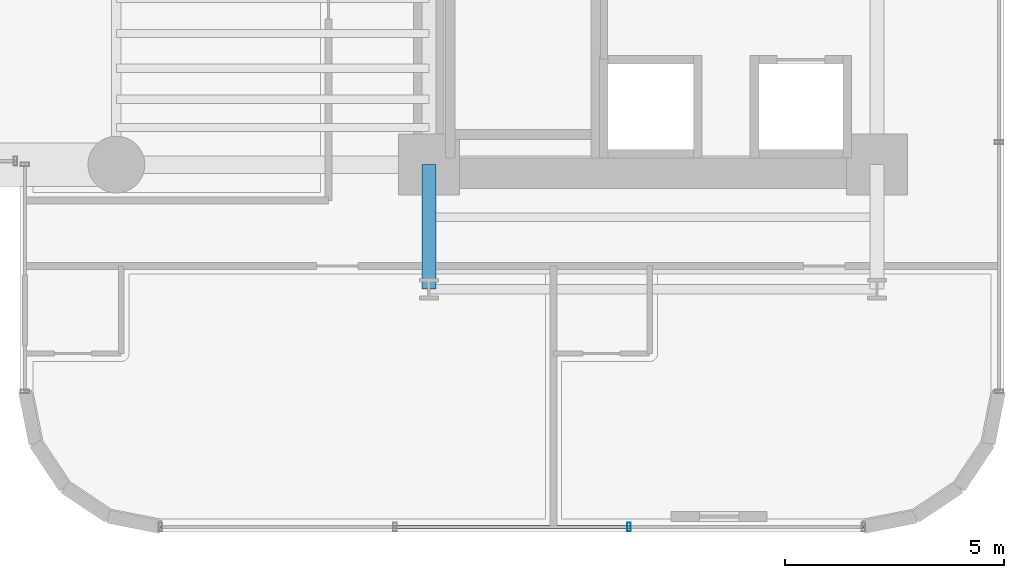
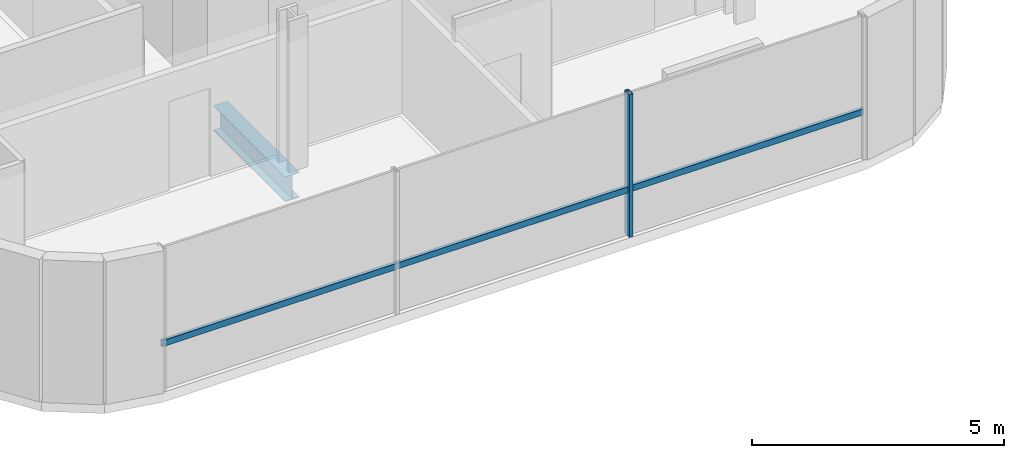
# One storey, part 3 of 41: 2 members, 1 beam, 1 element without a shape of its own.
"""IFC4 building model written with IfcOpenShell, lengths in metres."""

from ifc_helpers import new_model, si_unit, direction, frame, origin, origin_2d, place, context, subcontext, project, spatial, hollow_rectangle, i_section, extrude, source, transform, mapped, material, material_profile, profile_set, type_object, element, aggregate, save


model = new_model("IFC4")

# Units and contexts
model_context = context("Model", 3, precision=1e-05, world=origin(), true_north=direction((0.0, 1.0)))
body_context = subcontext(model_context, "Body", "Model", "MODEL_VIEW")
ifc_project = project(units=[si_unit("LENGTHUNIT", "METRE"), si_unit("AREAUNIT", "SQUARE_METRE"), si_unit("VOLUMEUNIT", "CUBIC_METRE"), si_unit("PLANEANGLEUNIT", "RADIAN"), si_unit("MASSUNIT", "GRAM", prefix="KILO")], contexts=[model_context])

# Site, building, storey
site_placement = place(None, origin())
site = spatial("IfcSite", under=ifc_project, at=site_placement, CompositionType="ELEMENT")
building_placement = place(site_placement, origin())
building = spatial("IfcBuilding", under=site, at=building_placement, Name="Valdorenza Pilgrim Sanctuary Tower", CompositionType="ELEMENT")
storey_placement = place(building_placement, frame((0.0, 0.0, 63.0)))
storey = spatial("IfcBuildingStorey", under=building, at=storey_placement, Name="L15", CompositionType="ELEMENT", Elevation=63.0)

# Beam
ifc_material_1 = material(Name="Steel ASTM A992 Grade 50", Category="steel")
ifc_material_profile_1 = material_profile(ifc_material_1, i_section(OverallWidth=0.323974609375, OverallDepth=0.611083984375, WebThickness=0.0126953125, FlangeThickness=0.01904296875, at=origin_2d()), Name="W24X104")
ifc_profile_set_1 = profile_set([ifc_material_profile_1], Name="Steel ASTM A992 Grade 50")
beam_type = type_object("IfcBeamType", Name="STR-BM-GRD-W24B", PredefinedType="BEAM", material=ifc_profile_set_1)
shared_shape_1 = source(origin(), body_context, "Body", "SweptSolid", [
    extrude(i_section(OverallWidth=0.323974609375, OverallDepth=0.611083984375, WebThickness=0.0126953125, FlangeThickness=0.01904296875, at=origin_2d()), origin(), (0.0, 0.0, 1.0), 2.849853515625),
])
beam_placement = place(storey_placement, frame((-22.64990234375, -13.449951171875, -0.54541015625), z_axis=(0.0, 1.0, 0.0), x_axis=(-1.0, 0.0, 0.0)))
element("IfcBeam", 1, at=beam_placement, inside=storey, type_object=beam_type, Name="L15 Floor Girder WA-S-LW", PredefinedType="BEAM", context=body_context, shape_type="MappedRepresentation", body=[
    mapped(shared_shape_1, transform((0.0, 0.0, 0.0), x_axis=(1.0, 0.0, 0.0), y_axis=(0.0, 1.0, 0.0), z_axis=(0.0, 0.0, 1.0), scale=1.0)),
])

# Curtain wall, members
ifc_material_2 = material(Name="Curtain-wall IGU glazing", Category="glass")
curtain_wall_type = type_object("IfcCurtainWallType", Name="CW-SYS-02", PredefinedType="NOTDEFINED", material=ifc_material_2)
curtain_wall_placement = place(storey_placement, origin())
curtain_wall = element("IfcCurtainWall", 2, at=curtain_wall_placement, inside=storey, type_object=curtain_wall_type, Name="L15 Curtain Wall CW-L15-1-46", PredefinedType="NOTDEFINED")
ifc_material_3 = material(Name="Anodised aluminium AW-6060", Category="aluminium")
ifc_material_profile_2 = material_profile(ifc_material_3, hollow_rectangle(XDim=0.0849609375, YDim=0.199951171875, WallThickness=0.0048828125, at=origin_2d()), Name="ALU-M 200x85x5")
ifc_profile_set_2 = profile_set([ifc_material_profile_2], Name="Anodised aluminium AW-6060")
member_type_1 = type_object("IfcMemberType", Name="CW-MUL-02", PredefinedType="MULLION", material=ifc_profile_set_2)
shared_shape_2 = source(origin(), body_context, "Body", "SweptSolid", [
    extrude(hollow_rectangle(XDim=0.0849609375, YDim=0.199951171875, WallThickness=0.0048828125, at=origin_2d()), origin(), (0.0, 0.0, 1.0), 3.4599609375),
])
member_1_placement = place(storey_placement, frame((-18.0703125, -18.889892578125, 0.0), z_axis=(0.0, 0.0, 1.0), x_axis=(-1.0, 0.0, 0.0)))
member_1 = element("IfcMember", 3, at=member_1_placement, type_object=member_type_1, Name="CW-L15-1-46 Mullion 2", PredefinedType="MULLION", context=body_context, shape_type="MappedRepresentation", body=[
    mapped(shared_shape_2, transform((0.0, 0.0, 0.0), x_axis=(1.0, 0.0, 0.0), y_axis=(0.0, 1.0, 0.0), z_axis=(0.0, 0.0, 1.0), scale=1.0)),
])
ifc_material_profile_3 = material_profile(ifc_material_3, hollow_rectangle(XDim=0.074951171875, YDim=0.14990234375, WallThickness=0.00390625, at=origin_2d()), Name="ALU-T 150x75x4")
ifc_profile_set_3 = profile_set([ifc_material_profile_3], Name="Anodised aluminium AW-6060")
member_type_2 = type_object("IfcMemberType", Name="CW-TRN-02", PredefinedType="USERDEFINED", material=ifc_profile_set_3)
shared_shape_3 = source(origin(), body_context, "Body", "SweptSolid", [
    extrude(hollow_rectangle(XDim=0.074951171875, YDim=0.14990234375, WallThickness=0.00390625, at=origin_2d()), origin(), (0.0, 0.0, 1.0), 16.07861328125),
])
member_2_placement = place(storey_placement, frame((-12.710693359375, -18.889892578125, 1.1201171875), z_axis=(-1.0, 0.0, 0.0), x_axis=(0.0, -1.0, 0.0)))
member_2 = element("IfcMember", 4, at=member_2_placement, type_object=member_type_2, Name="CW-L15-1-46 Transom 1", ObjectType="TRANSOM", PredefinedType="USERDEFINED", context=body_context, shape_type="MappedRepresentation", body=[
    mapped(shared_shape_3, transform((0.0, 0.0, 0.0), x_axis=(1.0, 0.0, 0.0), y_axis=(0.0, 1.0, 0.0), z_axis=(0.0, 0.0, 1.0), scale=1.0)),
])
aggregate(curtain_wall, [member_1, member_2])

save(model, "model.ifc")
